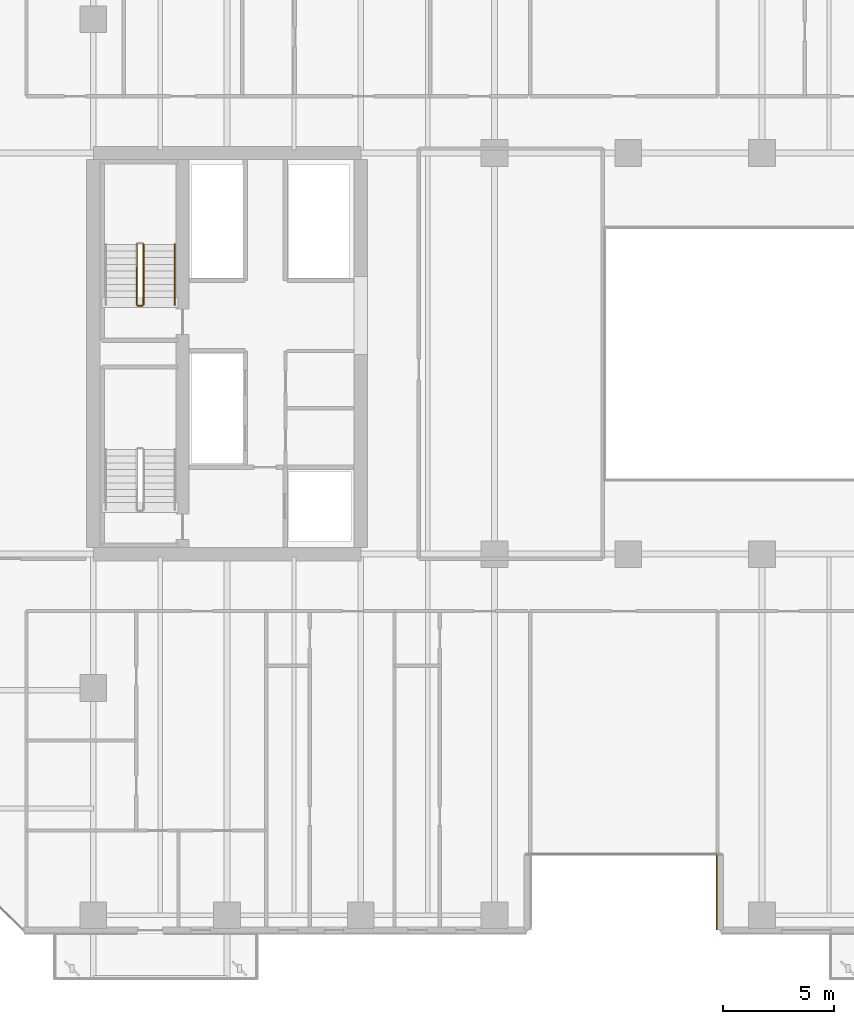
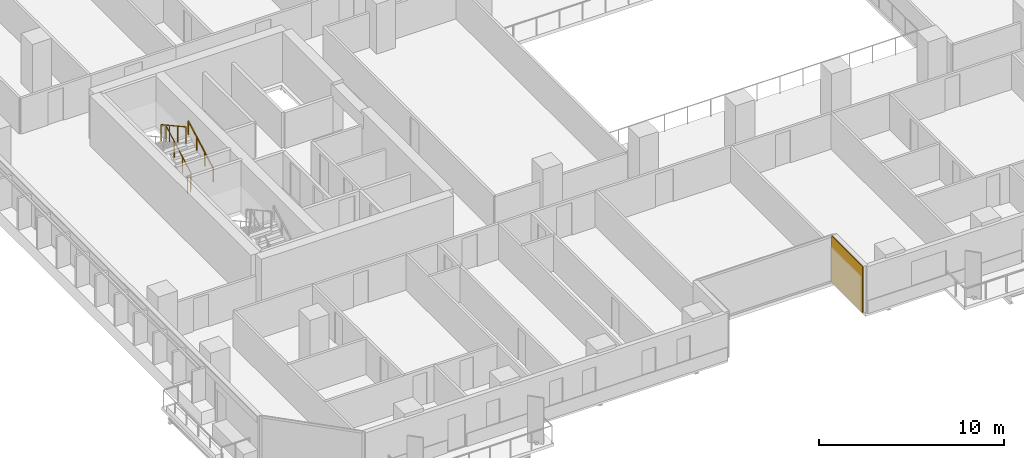
# One storey, part 27 of 33: 4 railings, 1 covering.
"""IFC4 building model written with IfcOpenShell, lengths in metres."""

from ifc_helpers import new_model, si_unit, direction, frame, origin, origin_2d, place, context, subcontext, project, spatial, rectangle, extrude, material, layer, layer_set, type_object, element, save


model = new_model("IFC4")

# Units and contexts
model_context = context("Model", 3, precision=1e-05, world=origin(), true_north=direction((0.0, 1.0)))
body_context = subcontext(model_context, "Body", "Model", "MODEL_VIEW")
ifc_project = project(units=[si_unit("LENGTHUNIT", "METRE"), si_unit("AREAUNIT", "SQUARE_METRE"), si_unit("VOLUMEUNIT", "CUBIC_METRE"), si_unit("PLANEANGLEUNIT", "RADIAN"), si_unit("MASSUNIT", "GRAM", prefix="KILO")], contexts=[model_context])

# Site, building, storey
site_placement = place(None, origin())
site = spatial("IfcSite", under=ifc_project, at=site_placement, CompositionType="ELEMENT")
building_placement = place(site_placement, origin())
building = spatial("IfcBuilding", under=site, at=building_placement, Name="Tanjung Sevakor Pilgrim Tower", CompositionType="ELEMENT")
storey_placement = place(building_placement, frame((0.0, 0.0, 35.639892578125)))
storey = spatial("IfcBuildingStorey", under=building, at=storey_placement, Name="L09", CompositionType="ELEMENT", Elevation=35.639892578125)

# Covering
ifc_material_1 = material(Name="Reconstructed Limestone Cladding", Category="masonry")
ifc_layer = layer(ifc_material_1, 0.044921875)
ifc_layer_set = layer_set([ifc_layer], Name="COV-CLAD-LIMESTONE")
covering_type = type_object("IfcCoveringType", Name="COV-CLAD-LIMESTONE", PredefinedType="CLADDING", material=ifc_layer_set)
covering_placement = place(storey_placement, frame((51.9775390625, 9.43994140625, 0.02001953125), z_axis=(0.0, 0.0, 1.0), x_axis=(0.0, -1.0, 0.0)))
element("IfcCovering", 1, at=covering_placement, inside=storey, type_object=covering_type, Name="L09 Warm Limestone Wall Cladding EW-L09-MAIN-4", PredefinedType="CLADDING", context=body_context, shape_type="SweptSolid", body=[
    extrude(rectangle(XDim=3.360107421875, YDim=0.044921875, at=origin_2d()), origin(), (0.0, 0.0, 1.0), 3.0400390625),
])

# Railings
ifc_material_2 = material(Name="Steel S355J2", Category="steel")
railing_type_1 = type_object("IfcRailingType", Name="RL-STAIR-GUARD", PredefinedType="GUARDRAIL", material=ifc_material_2)
railing_1_placement = place(storey_placement, frame((26.25, 35.800048828125, 0.1650390625)))
element("IfcRailing", 2, at=railing_1_placement, inside=storey, type_object=railing_type_1, Name="L09 TS-W2 stair guard 1", PredefinedType="GUARDRAIL", context=body_context, shape_type="SweptSolid", body=[
    extrude(rectangle(XDim=0.0479, YDim=0.0479), frame((0.0, 0.0, 1.076171875), z_axis=(0.0, 0.876197507361, 0.481952205197), x_axis=(-1.0, 0.0, 0.0)), (0.0, 0.0, 1.0), 3.08154296875),
    extrude(rectangle(XDim=0.042, YDim=0.042), origin(), (0.0, 0.0, 1.0), 1.052001953125),
    extrude(rectangle(XDim=0.042, YDim=0.042), frame((0.0, 0.89990234375, 0.4951171875)), (0.0, 0.0, 1.0), 1.052001953125),
    extrude(rectangle(XDim=0.042, YDim=0.042), frame((0.0, 1.800048828125, 0.989990234375)), (0.0, 0.0, 1.0), 1.052001953125),
    extrude(rectangle(XDim=0.042, YDim=0.042), frame((0.0, 2.699951171875, 1.485107421875)), (0.0, 0.0, 1.0), 1.052001953125),
])
railing_2_placement = place(storey_placement, frame((25.949951171875, 38.5, 1.815185546875)))
element("IfcRailing", 3, at=railing_2_placement, inside=storey, type_object=railing_type_1, Name="L09 TS-W2 stair guard 3", PredefinedType="GUARDRAIL", context=body_context, shape_type="SweptSolid", body=[
    extrude(rectangle(XDim=0.0479, YDim=0.0479), frame((0.0, 0.0, 1.076171875), z_axis=(0.0, -0.876230963923, 0.481891375584), x_axis=(1.0, 0.0, 0.0)), (0.0, 0.0, 1.0), 3.081298828125),
    extrude(rectangle(XDim=0.042, YDim=0.042), origin(), (0.0, 0.0, 1.0), 1.052001953125),
    extrude(rectangle(XDim=0.042, YDim=0.042), frame((0.0, -0.89990234375, 0.494873046875)), (0.0, 0.0, 1.0), 1.052001953125),
    extrude(rectangle(XDim=0.042, YDim=0.042), frame((0.0, -1.800048828125, 0.989990234375)), (0.0, 0.0, 1.0), 1.052001953125),
    extrude(rectangle(XDim=0.042, YDim=0.042), frame((0.0, -2.699951171875, 1.48486328125)), (0.0, 0.0, 1.0), 1.052001953125),
])
railing_3_placement = place(storey_placement, frame((26.199951171875, 35.75, 0.0)))
element("IfcRailing", 4, at=railing_3_placement, inside=storey, type_object=railing_type_1, Name="L09 TS-W2 stair guard 4", PredefinedType="GUARDRAIL", context=body_context, shape_type="SweptSolid", body=[
    extrude(rectangle(XDim=0.0479, YDim=0.0479), frame((0.0, 0.0, 1.076171875), z_axis=(-1.0, 0.0, 0.0), x_axis=(0.0, -1.0, 0.0)), (0.0, 0.0, 1.0), 0.199951171875),
    extrude(rectangle(XDim=0.042, YDim=0.042), origin(), (0.0, 0.0, 1.0), 1.052001953125),
    extrude(rectangle(XDim=0.042, YDim=0.042), frame((-0.199951171875, 0.0, 0.0)), (0.0, 0.0, 1.0), 1.052001953125),
])
ifc_material_3 = material(Name="Steel S355J2", Category="steel")
railing_type_2 = type_object("IfcRailingType", Name="RL-STAIR-HAND", PredefinedType="HANDRAIL", material=ifc_material_3)
railing_4_placement = place(storey_placement, frame((27.64990234375, 35.800048828125, 0.1650390625)))
element("IfcRailing", 5, at=railing_4_placement, inside=storey, type_object=railing_type_2, Name="L09 TS-W2 stair handrail 1", PredefinedType="HANDRAIL", context=body_context, shape_type="SweptSolid", body=[
    extrude(rectangle(XDim=0.0479, YDim=0.0479), frame((0.0, 0.0, 0.8759765625), z_axis=(0.0, 0.876197507361, 0.481952205197), x_axis=(-1.0, 0.0, 0.0)), (0.0, 0.0, 1.0), 3.08154296875),
    extrude(rectangle(XDim=0.042, YDim=0.042), origin(), (0.0, 0.0, 1.0), 0.851806640625),
    extrude(rectangle(XDim=0.042, YDim=0.042), frame((0.0, 0.89990234375, 0.4951171875)), (0.0, 0.0, 1.0), 0.851806640625),
    extrude(rectangle(XDim=0.042, YDim=0.042), frame((0.0, 1.800048828125, 0.989990234375)), (0.0, 0.0, 1.0), 0.851806640625),
    extrude(rectangle(XDim=0.042, YDim=0.042), frame((0.0, 2.699951171875, 1.485107421875)), (0.0, 0.0, 1.0), 0.851806640625),
])

save(model, "model.ifc")
